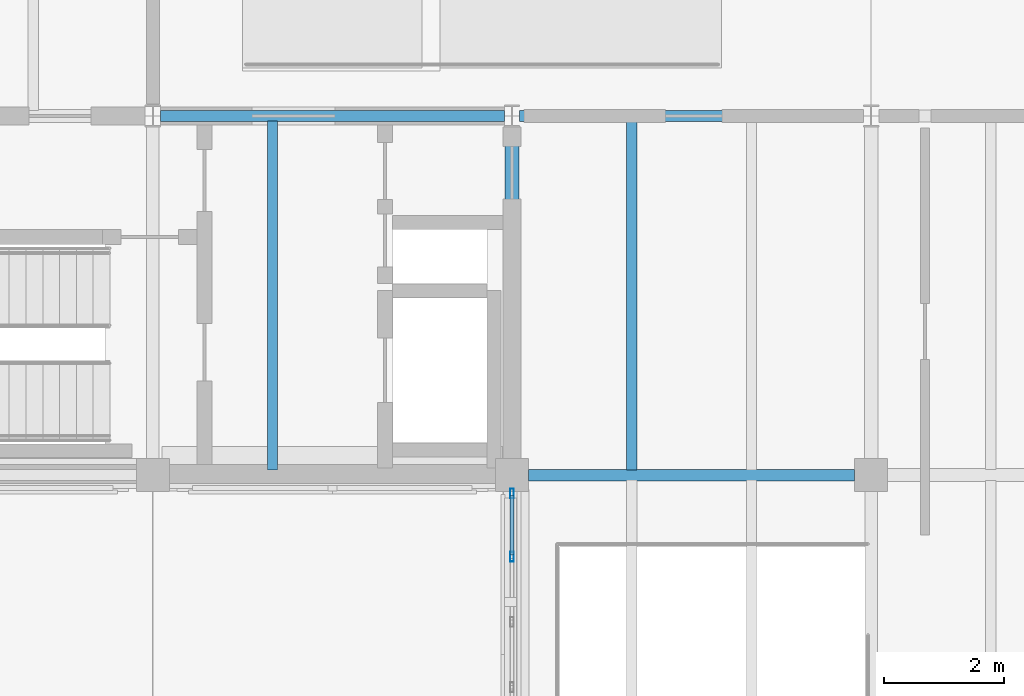
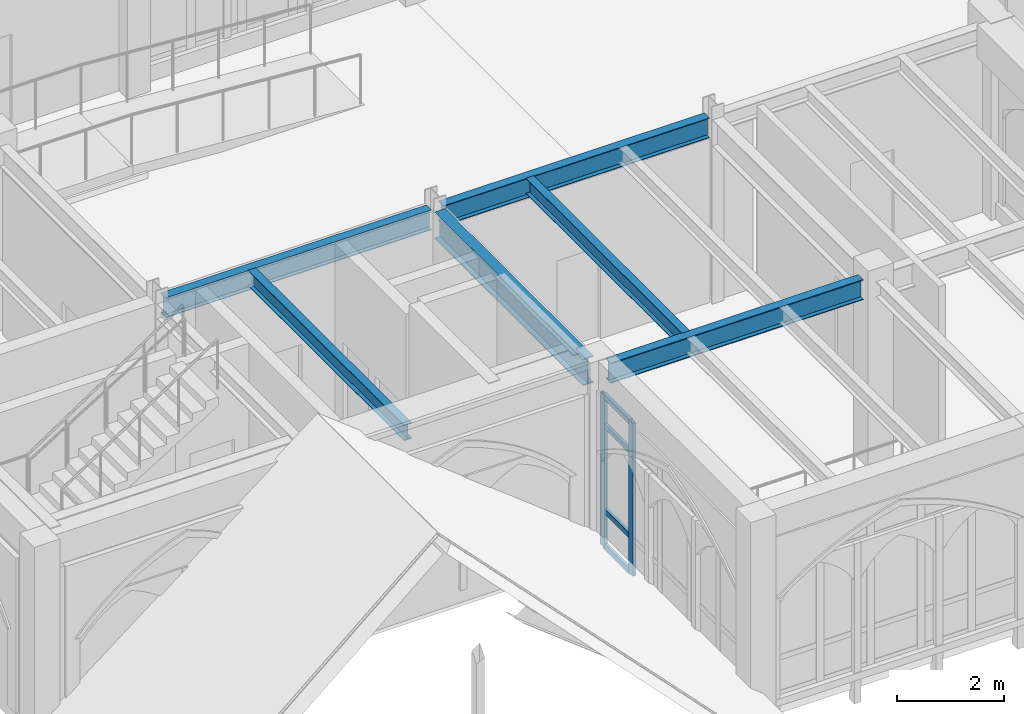
# One storey, part 24 of 108: 6 beams, 6 members, 1 element without a shape of its own.
"""IFC4 building model written with IfcOpenShell, lengths in metres."""

from ifc_helpers import new_model, si_unit, direction, frame, origin, origin_2d, place, context, subcontext, project, spatial, hollow_rectangle, i_section, extrude, material, layer, layer_set, material_profile, profile_set, type_object, element, aggregate, save


model = new_model("IFC4")

# Units and contexts
model_context = context("Model", 3, precision=1e-05, world=origin(), true_north=direction((0.0, 1.0)))
body_context = subcontext(model_context, "Body", "Model", "MODEL_VIEW")
ifc_project = project(units=[si_unit("LENGTHUNIT", "METRE"), si_unit("AREAUNIT", "SQUARE_METRE"), si_unit("VOLUMEUNIT", "CUBIC_METRE"), si_unit("PLANEANGLEUNIT", "RADIAN"), si_unit("MASSUNIT", "GRAM", prefix="KILO")], contexts=[model_context])

# Site, building, storey
site_placement = place(None, origin())
site = spatial("IfcSite", under=ifc_project, at=site_placement, CompositionType="ELEMENT")
building_placement = place(site_placement, origin())
building = spatial("IfcBuilding", under=site, at=building_placement, Name="Cumevento Cable Car Station", CompositionType="ELEMENT")
storey_placement = place(building_placement, frame((0.0, 0.0, 13.5)))
storey = spatial("IfcBuildingStorey", under=building, at=storey_placement, Name="L04", CompositionType="ELEMENT", Elevation=13.5)

# Curtain wall, members
ifc_material_1 = material(Name="Anodised Bronze Aluminium AW-6063-T6", Category="aluminium")
ifc_layer = layer(ifc_material_1, 0.172119140625)
ifc_layer_set = layer_set([ifc_layer], Name="Anodised Bronze Aluminium AW-6063-T6")
curtain_wall_type = type_object("IfcCurtainWallType", Name="Lancet Curtain Wall CW-03 1130", PredefinedType="NOTDEFINED", material=ifc_layer_set)
curtain_wall_placement = place(storey_placement, origin())
curtain_wall = element("IfcCurtainWall", 1, at=curtain_wall_placement, inside=storey, type_object=curtain_wall_type, Name="Lancet Curtain Wall CW-03 L04 #146", PredefinedType="NOTDEFINED")
ifc_material_2 = material(Name="Anodised Bronze Aluminium AW-6063-T6", Category="aluminium")
ifc_material_profile_1 = material_profile(ifc_material_2, hollow_rectangle(XDim=0.06494140625, YDim=0.159912109375, WallThickness=0.00390625, at=origin_2d()), Name="ALUM65x160x4")
ifc_profile_set_1 = profile_set([ifc_material_profile_1], Name="Anodised Bronze Aluminium AW-6063-T6")
member_type_1 = type_object("IfcMemberType", Name="Curtain Mullion CWM-01 ALUM65x160x4", PredefinedType="MULLION", material=ifc_profile_set_1)
member_1_placement = place(storey_placement, frame((70.0, 37.635009765625, 0.260009765625), z_axis=(0.0, 0.0, 1.0), x_axis=(-1.0, 0.0, 0.0)))
member_1 = element("IfcMember", 2, at=member_1_placement, type_object=member_type_1, Name="CW-03 mullion 5", PredefinedType="MULLION", context=body_context, shape_type="SweptSolid", body=[
    extrude(hollow_rectangle(XDim=0.06494140625, YDim=0.159912109375, WallThickness=0.00390625, at=origin_2d()), origin(), (0.0, 0.0, 1.0), 3.487060546875),
])
member_2_placement = place(storey_placement, frame((70.0, 38.6923828125, 0.260009765625), z_axis=(0.0, 0.0, 1.0), x_axis=(-1.0, 0.0, 0.0)))
member_2 = element("IfcMember", 3, at=member_2_placement, type_object=member_type_1, Name="CW-03 mullion 6", PredefinedType="MULLION", context=body_context, shape_type="SweptSolid", body=[
    extrude(hollow_rectangle(XDim=0.06494140625, YDim=0.159912109375, WallThickness=0.00390625, at=origin_2d()), origin(), (0.0, 0.0, 1.0), 3.487060546875),
])
ifc_material_3 = material(Name="Anodised Bronze Aluminium AW-6063-T6", Category="aluminium")
ifc_material_profile_2 = material_profile(ifc_material_3, hollow_rectangle(XDim=0.06494140625, YDim=0.1201171875, WallThickness=0.00390625, at=origin_2d()), Name="ALUT65x120x4")
ifc_profile_set_2 = profile_set([ifc_material_profile_2], Name="Anodised Bronze Aluminium AW-6063-T6")
member_type_2 = type_object("IfcMemberType", Name="Curtain Transom CWT-01 ALUT65x120x4", PredefinedType="USERDEFINED", material=ifc_profile_set_2)
member_3_placement = place(storey_placement, frame((70.0, 37.66748046875, 0.29248046875), z_axis=(0.0, 1.0, 0.0), x_axis=(-1.0, 0.0, 0.0)))
member_3 = element("IfcMember", 4, at=member_3_placement, type_object=member_type_2, Name="CW-03 transom 5.1", ObjectType="TRANSOM", PredefinedType="USERDEFINED", context=body_context, shape_type="SweptSolid", body=[
    extrude(hollow_rectangle(XDim=0.06494140625, YDim=0.1201171875, WallThickness=0.00390625, at=origin_2d()), origin(), (0.0, 0.0, 1.0), 0.992431640625),
])
member_4_placement = place(storey_placement, frame((70.0, 37.66748046875, 1.110107421875), z_axis=(0.0, 1.0, 0.0), x_axis=(-1.0, 0.0, 0.0)))
member_4 = element("IfcMember", 5, at=member_4_placement, type_object=member_type_2, Name="CW-03 transom 5.2", ObjectType="TRANSOM", PredefinedType="USERDEFINED", context=body_context, shape_type="SweptSolid", body=[
    extrude(hollow_rectangle(XDim=0.06494140625, YDim=0.1201171875, WallThickness=0.00390625, at=origin_2d()), origin(), (0.0, 0.0, 1.0), 0.992431640625),
])
member_5_placement = place(storey_placement, frame((70.0, 37.66748046875, 3.047119140625), z_axis=(0.0, 1.0, 0.0), x_axis=(-1.0, 0.0, 0.0)))
member_5 = element("IfcMember", 6, at=member_5_placement, type_object=member_type_2, Name="CW-03 transom 5.3", ObjectType="TRANSOM", PredefinedType="USERDEFINED", context=body_context, shape_type="SweptSolid", body=[
    extrude(hollow_rectangle(XDim=0.06494140625, YDim=0.1201171875, WallThickness=0.00390625, at=origin_2d()), origin(), (0.0, 0.0, 1.0), 0.992431640625),
])
member_6_placement = place(storey_placement, frame((70.0, 37.66748046875, 3.714599609375), z_axis=(0.0, 1.0, 0.0), x_axis=(-1.0, 0.0, 0.0)))
member_6 = element("IfcMember", 7, at=member_6_placement, type_object=member_type_2, Name="CW-03 transom 5.4", ObjectType="TRANSOM", PredefinedType="USERDEFINED", context=body_context, shape_type="SweptSolid", body=[
    extrude(hollow_rectangle(XDim=0.06494140625, YDim=0.1201171875, WallThickness=0.00390625, at=origin_2d()), origin(), (0.0, 0.0, 1.0), 0.992431640625),
])
aggregate(curtain_wall, [member_1, member_2, member_3, member_4, member_5, member_6])

# Beams
ifc_material_4 = material(Name="Steel ASTM A572 Grade 50", Category="steel")
ifc_material_profile_3 = material_profile(ifc_material_4, i_section(OverallWidth=0.22802734375, OverallDepth=0.60791015625, WebThickness=0.01123046875, FlangeThickness=0.017333984375, at=origin_2d()), Name="W610x113.0")
ifc_profile_set_3 = profile_set([ifc_material_profile_3], Name="Steel ASTM A572 Grade 50")
beam_type_1 = type_object("IfcBeamType", Name="Structural Beam BM-02 W610x113.0", PredefinedType="BEAM", material=ifc_profile_set_3)
beam_1_placement = place(storey_placement, frame((70.0, 39.27490234375, 3.89990234375), z_axis=(0.0, 1.0, 0.0), x_axis=(-1.0, 0.0, 0.0)))
element("IfcBeam", 8, at=beam_1_placement, inside=storey, type_object=beam_type_1, Name="Beam BM-02 L04 #1348", PredefinedType="BEAM", context=body_context, shape_type="SweptSolid", body=[
    extrude(i_section(OverallWidth=0.22802734375, OverallDepth=0.60791015625, WebThickness=0.01123046875, FlangeThickness=0.017333984375, at=origin_2d()), origin(), (0.0, 0.0, 1.0), 5.543701171875),
])
ifc_material_5 = material(Name="Steel ASTM A572 Grade 50", Category="steel")
ifc_material_profile_4 = material_profile(ifc_material_5, i_section(OverallWidth=0.18994140625, OverallDepth=0.45703125, WebThickness=0.009033203125, FlangeThickness=0.014404296875, at=origin_2d()), Name="W460x74.0")
ifc_profile_set_4 = profile_set([ifc_material_profile_4], Name="Steel ASTM A572 Grade 50")
beam_type_2 = type_object("IfcBeamType", Name="Structural Beam BM-04 W460x74.0", PredefinedType="BEAM", material=ifc_profile_set_4)
for number, where, z_axis, x_axis, name in (
    (9, (64.12841796875, 45.0, 3.9755859375), (1.0, 0.0, 0.0), (0.0, 1.0, 0.0), "Beam BM-04 L04 #1345"),
    (10, (70.12841796875, 45.0, 3.9755859375), (1.0, 0.0, 0.0), (0.0, 1.0, 0.0), "Beam BM-04 L04 #1353"),
):
    element("IfcBeam", number, at=place(storey_placement, frame(where, z_axis=z_axis, x_axis=x_axis)), inside=storey, type_object=beam_type_2, Name=name, PredefinedType="BEAM", context=body_context, shape_type="SweptSolid", body=[
        extrude(i_section(OverallWidth=0.18994140625, OverallDepth=0.45703125, WebThickness=0.009033203125, FlangeThickness=0.014404296875, at=origin_2d()), origin(), (0.0, 0.0, 1.0), 5.7431640625),
    ])
ifc_material_6 = material(Name="Steel ASTM A572 Grade 50", Category="steel")
ifc_material_profile_5 = material_profile(ifc_material_6, i_section(OverallWidth=0.19189453125, OverallDepth=0.462890625, WebThickness=0.010498046875, FlangeThickness=0.017578125, at=origin_2d()), Name="W460x89.0")
ifc_profile_set_5 = profile_set([ifc_material_profile_5], Name="Steel ASTM A572 Grade 50")
beam_type_3 = type_object("IfcBeamType", Name="Structural Beam BM-10 W460x89.0", PredefinedType="BEAM", material=ifc_profile_set_5)
beam_2_placement = place(storey_placement, frame((70.27490234375, 39.0, 3.972412109375), z_axis=(1.0, 0.0, 0.0), x_axis=(0.0, 1.0, 0.0)))
element("IfcBeam", 11, at=beam_2_placement, inside=storey, type_object=beam_type_3, Name="Beam BM-10 L04 #1351", PredefinedType="BEAM", context=body_context, shape_type="SweptSolid", body=[
    extrude(i_section(OverallWidth=0.19189453125, OverallDepth=0.462890625, WebThickness=0.010498046875, FlangeThickness=0.017578125, at=origin_2d()), origin(), (0.0, 0.0, 1.0), 5.4501953125),
])
ifc_material_7 = material(Name="Steel ASTM A572 Grade 50", Category="steel")
ifc_material_profile_6 = material_profile(ifc_material_7, i_section(OverallWidth=0.1708984375, OverallDepth=0.35498046875, WebThickness=0.007080078125, FlangeThickness=0.01171875, at=origin_2d()), Name="W360x51.0")
ifc_profile_set_6 = profile_set([ifc_material_profile_6], Name="Steel ASTM A572 Grade 50")
beam_type_4 = type_object("IfcBeamType", Name="Structural Joist JS-01 W360x51.0", PredefinedType="JOIST", material=ifc_profile_set_6)
for number, where, z_axis, x_axis, name in (
    (12, (66.0, 39.083984375, 4.026611328125), (0.0, 1.0, 0.0), (-1.0, 0.0, 0.0), "Composite Floor Joist JS-01 L04 #1495"),
    (13, (72.0, 39.083984375, 4.026611328125), (0.0, 1.0, 0.0), (-1.0, 0.0, 0.0), "Composite Floor Joist JS-01 L04 #1497"),
):
    element("IfcBeam", number, at=place(storey_placement, frame(where, z_axis=z_axis, x_axis=x_axis)), inside=storey, type_object=beam_type_4, Name=name, PredefinedType="JOIST", context=body_context, shape_type="SweptSolid", body=[
        extrude(i_section(OverallWidth=0.1708984375, OverallDepth=0.35498046875, WebThickness=0.007080078125, FlangeThickness=0.01171875, at=origin_2d()), origin(), (0.0, 0.0, 1.0), 5.8330078125),
    ])

save(model, "model.ifc")
